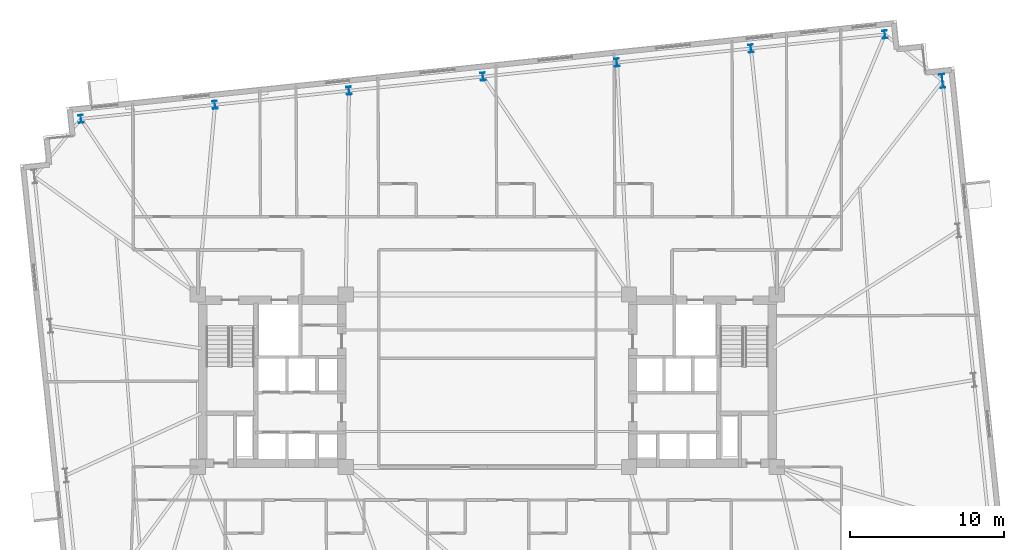
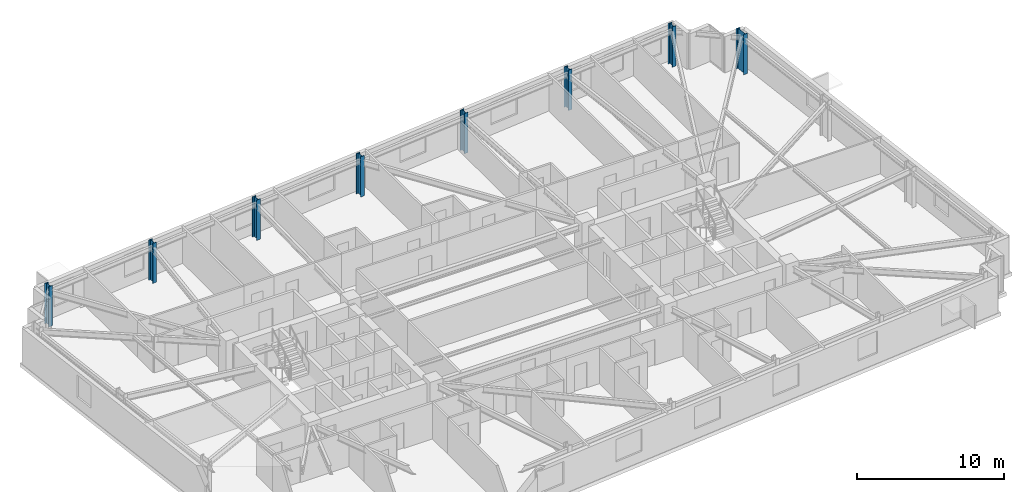
# One storey, part 3 of 19: 8 columns.
"""IFC4 building model written with IfcOpenShell, lengths in metres."""

import ifcopenshell
import ifcopenshell.guid

model = None  # the IFC model being written
_history = None  # IfcOwnerHistory: only IFC2X3 demands one
_inside = {}  # id of a spatial element -> (the spatial element, [elements in it])
_under = {}  # id of a project, library or spatial element -> (it, [spatial elements below it])
_declared = {}  # id of a project -> (the project, [libraries it declares])
_typed = {}  # id of a type object -> (the type object, [elements of that type])
_made_of = {}  # id of a material, layer set ... -> (it, [elements and type objects made of it])


def new_model(schema):
    """Start an empty IFC model of exactly this schema.

    Asked for "IFC4X3", IfcOpenShell would pick the latest addendum, in which some entities
    have other attributes; the version numbers below select the first issue.
    IFC2X3 requires an IfcOwnerHistory on every rooted entity: one is made here for all.
    """
    global model, _history
    if schema == "IFC4X3":
        model = ifcopenshell.file(schema_version=(4, 3, 0, 0))
    else:
        model = ifcopenshell.file(schema=schema)
    _inside.clear()
    _under.clear()
    _declared.clear()
    _typed.clear()
    _made_of.clear()
    _history = None
    if model.schema == "IFC2X3":
        org = make("IfcOrganization", Name="unknown")
        user = make(
            "IfcPersonAndOrganization",
            ThePerson=make("IfcPerson", FamilyName="unknown"),
            TheOrganization=org,
        )
        app = make(
            "IfcApplication",
            ApplicationDeveloper=org,
            Version="unknown",
            ApplicationFullName="unknown",
            ApplicationIdentifier="unknown",
        )
        _history = make(
            "IfcOwnerHistory",
            OwningUser=user,
            OwningApplication=app,
            ChangeAction="ADDED",
            CreationDate=0,
        )
    return model


def make(cls, **values):
    """One entity of the class cls with the attributes given. An attribute that is None is left unset."""
    return model.create_entity(
        cls, **{name: value for name, value in values.items() if value is not None}
    )


def rooted(cls, **values):
    """An entity with a GlobalId (a new one), such as an element, a storey or a relation."""
    return make(cls, GlobalId=ifcopenshell.guid.new(), OwnerHistory=_history, **values)


def si_unit(unit_type, name, prefix=None):
    """IfcSIUnit, for example si_unit("LENGTHUNIT", "METRE", prefix="MILLI")."""
    return make("IfcSIUnit", UnitType=unit_type, Prefix=prefix, Name=name)


def assignment(units):
    """IfcUnitAssignment: the units of a project."""
    return None if units is None else make("IfcUnitAssignment", Units=units)


def point(xyz):
    """IfcCartesianPoint."""
    return None if xyz is None else make("IfcCartesianPoint", Coordinates=xyz)


def direction(xyz):
    """IfcDirection."""
    return None if xyz is None else make("IfcDirection", DirectionRatios=xyz)


def frame(location, z_axis=None, x_axis=None):
    """IfcAxis2Placement3D, a coordinate frame: its origin and axes. An axis left out is left unset."""
    return make(
        "IfcAxis2Placement3D",
        Location=point(location),
        Axis=direction(z_axis),
        RefDirection=direction(x_axis),
    )


def frame_2d(location, x_axis=None):
    """IfcAxis2Placement2D, a coordinate frame in the plane: its origin and x axis."""
    return make(
        "IfcAxis2Placement2D", Location=point(location), RefDirection=direction(x_axis)
    )


def origin():
    """The frame at (0, 0, 0) with its axes left unset."""
    return frame((0.0, 0.0, 0.0))


def origin_2d():
    """The frame at (0, 0) in the plane with its x axis left unset."""
    return frame_2d((0.0, 0.0))


def place(relative_to, where):
    """IfcLocalPlacement: puts the frame where relative to a parent placement (None: the world)."""
    return make(
        "IfcLocalPlacement", PlacementRelTo=relative_to, RelativePlacement=where
    )


def context(
    kind, dimensions, precision=None, world=None, true_north=None, identifier=None
):
    """IfcGeometricRepresentationContext, for example the 3D "Model" context."""
    return make(
        "IfcGeometricRepresentationContext",
        ContextIdentifier=identifier,
        ContextType=kind,
        CoordinateSpaceDimension=dimensions,
        Precision=precision,
        WorldCoordinateSystem=world,
        TrueNorth=true_north,
    )


def subcontext(parent, identifier, kind, view, scale=None):
    """IfcGeometricRepresentationSubContext, for example "Body" below "Model"."""
    return make(
        "IfcGeometricRepresentationSubContext",
        ContextIdentifier=identifier,
        ContextType=kind,
        ParentContext=parent,
        TargetScale=scale,
        TargetView=view,
    )


def project(units=None, contexts=None):
    """IfcProject with its units and contexts."""
    return rooted(
        "IfcProject",
        Name="project",
        RepresentationContexts=contexts,
        UnitsInContext=assignment(units),
    )


def spatial(cls, under=None, at=None, **own):
    """A site, building, storey or space (cls), placed at a placement, below another one or the project."""
    s = rooted(cls, ObjectPlacement=at, **own)
    if under is not None:
        _under.setdefault(under.id(), (under, []))[1].append(s)
    return s


def profile(cls, at=None, kind="AREA", **sizes):
    """A parametric profile (cls). Its sizes go by their IFC names, for example OverallWidth=200.0."""
    return make(cls, ProfileType=kind, Position=at, **sizes)


def i_section(**sizes):
    """IfcIShapeProfileDef."""
    return profile("IfcIShapeProfileDef", **sizes)


def extrude(swept, where, along, depth):
    """IfcExtrudedAreaSolid: the profile swept, set in the frame where, extruded along a direction by depth."""
    return make(
        "IfcExtrudedAreaSolid",
        SweptArea=swept,
        Position=where,
        ExtrudedDirection=direction(along),
        Depth=depth,
    )


def shape(context_of_items, identifier, shape_type, items):
    """IfcShapeRepresentation: the items that make up one representation, for example the "Body"."""
    return make(
        "IfcShapeRepresentation",
        ContextOfItems=context_of_items,
        RepresentationIdentifier=identifier,
        RepresentationType=shape_type,
        Items=items,
    )


def material(Name=None, Category=None):
    """IfcMaterial."""
    return make("IfcMaterial", Name=Name, Category=Category)


def material_profile(
    of_material, cross_section, Name=None, Category=None, Priority=None
):
    """IfcMaterialProfile: a cross section and its material."""
    return make(
        "IfcMaterialProfile",
        Name=Name,
        Material=of_material,
        Profile=cross_section,
        Priority=Priority,
        Category=Category,
    )


def profile_set(profiles, Name=None, composite=None):
    """IfcMaterialProfileSet."""
    return make(
        "IfcMaterialProfileSet",
        Name=Name,
        MaterialProfiles=profiles,
        CompositeProfile=composite,
    )


def made_of(thing, what):
    """Note that an element or type object is made of a material, layer set ...; save() writes the relation."""
    if what is not None:
        _made_of.setdefault(what.id(), (what, []))[1].append(thing)
    return thing


def type_object(cls, material=None, **own):
    """A type object (cls), such as IfcWallType, which elements share."""
    return made_of(rooted(cls, **own), material)


def element(
    cls,
    number,
    at=None,
    inside=None,
    cuts=None,
    type_object=None,
    material=None,
    context=None,
    identifier="Body",
    shape_type=None,
    held_by="IfcProductDefinitionShape",
    body=None,
    shapes=None,
    **own,
):
    """One element of the class cls, such as IfcWall. Its Tag is "e" and its number.

    at: its placement. inside: the storey or other place that contains it. cuts: it is an
    opening in that element (IfcRelVoidsElement). A single representation is given by context,
    identifier, shape_type and body (its items); several are given by shapes. held_by: the class
    of the entity that holds the representations. save() writes the other relations.
    """
    e = rooted(cls, Tag="e%d" % number, ObjectPlacement=at, **own)
    if body is not None:
        shapes = [shape(context, identifier, shape_type, body)]
    if shapes is not None:
        e.Representation = make(held_by, Representations=shapes)
    if inside is not None:
        _inside.setdefault(inside.id(), (inside, []))[1].append(e)
    if cuts is not None:
        rooted(
            "IfcRelVoidsElement", RelatingBuildingElement=cuts, RelatedOpeningElement=e
        )
    if type_object is not None:
        _typed.setdefault(type_object.id(), (type_object, []))[1].append(e)
    return made_of(e, material)


def aggregate(whole, parts):
    """IfcRelAggregates: a whole, such as a stair, and the parts it consists of."""
    return rooted("IfcRelAggregates", RelatingObject=whole, RelatedObjects=parts)


def save(model, path):
    """Write the relations noted so far, then the file.

    IfcRelAggregates (storeys below a building ...), IfcRelContainedInSpatialStructure (elements
    in a storey), IfcRelDefinesByType, IfcRelAssociatesMaterial and IfcRelDeclares: one each for
    every whole, place, type object, material and project.
    """
    for whole, parts in _under.values():
        aggregate(whole, parts)
    for where, things in _inside.values():
        rooted(
            "IfcRelContainedInSpatialStructure",
            RelatedElements=things,
            RelatingStructure=where,
        )
    for kind, things in _typed.values():
        rooted("IfcRelDefinesByType", RelatedObjects=things, RelatingType=kind)
    for what, things in _made_of.values():
        rooted("IfcRelAssociatesMaterial", RelatedObjects=things, RelatingMaterial=what)
    for by, libraries in _declared.values():
        rooted("IfcRelDeclares", RelatingContext=by, RelatedDefinitions=libraries)
    model.write(path)


model = new_model("IFC4")

# Units and contexts
model_context = context("Model", 3, precision=1e-05, world=origin(), true_north=direction((0.0, 1.0)))
body_context = subcontext(model_context, "Body", "Model", "MODEL_VIEW")
ifc_project = project(units=[si_unit("LENGTHUNIT", "METRE"), si_unit("AREAUNIT", "SQUARE_METRE"), si_unit("VOLUMEUNIT", "CUBIC_METRE"), si_unit("PLANEANGLEUNIT", "RADIAN"), si_unit("MASSUNIT", "GRAM", prefix="KILO")], contexts=[model_context])

# Site, building, storey
site_placement = place(None, origin())
site = spatial("IfcSite", under=ifc_project, at=site_placement, CompositionType="ELEMENT")
building_placement = place(site_placement, origin())
building = spatial("IfcBuilding", under=site, at=building_placement, Name="Qobustan Lattice House", CompositionType="ELEMENT")
storey_placement = place(building_placement, frame((0.0, 0.0, 122.550048828125)))
storey = spatial("IfcBuildingStorey", under=building, at=storey_placement, Name="L34", CompositionType="ELEMENT", Elevation=122.550048828125)

# Columns
ifc_material_1 = material(Name="Steel S355", Category="steel")
ifc_material_profile_1 = material_profile(ifc_material_1, i_section(OverallWidth=0.300048828125, OverallDepth=0.89990234375, WebThickness=0.0185546875, FlangeThickness=0.034912109375, FilletRadius=0.030029296875, at=origin_2d()), Name="HEB900")
ifc_profile_set_1 = profile_set([ifc_material_profile_1], Name="Steel S355")
column_type_1 = type_object("IfcColumnType", Name="COL-ST-HEB900", PredefinedType="COLUMN", material=ifc_profile_set_1)
column_placement = place(storey_placement, frame((29.55615234375, 19.468994140625, 0.0), z_axis=(0.0, 0.0, 1.0), x_axis=(0.994521895368, 0.104528463268, 0.0)))
element("IfcColumn", 1, at=column_placement, inside=storey, type_object=column_type_1, Name="L34 B2 perimeter column E4", PredefinedType="COLUMN", context=body_context, shape_type="SweptSolid", body=[
    extrude(i_section(OverallWidth=0.300048828125, OverallDepth=0.89990234375, WebThickness=0.0185546875, FlangeThickness=0.034912109375, FilletRadius=0.030029296875, at=origin_2d()), origin(), (0.0, 0.0, 1.0), 3.349853515625),
])
ifc_material_2 = material(Name="Steel S355", Category="steel")
ifc_material_profile_2 = material_profile(ifc_material_2, i_section(OverallWidth=0.305908203125, OverallDepth=0.52392578125, WebThickness=0.02099609375, FlangeThickness=0.0400390625, FilletRadius=0.027099609375, at=origin_2d()), Name="HEM500")
ifc_profile_set_2 = profile_set([ifc_material_profile_2], Name="Steel S355")
column_type_2 = type_object("IfcColumnType", Name="COL-ST-HEM500", PredefinedType="COLUMN", material=ifc_profile_set_2)
for number, where, z_axis, x_axis, name in (
    (2, (25.819580078125, 22.4951171875, 0.0), (0.0, 0.0, 1.0), (0.994521895368, 0.104528463268, 0.0), "L34 B2 perimeter column N1"),
    (3, (17.117431640625, 21.580322265625, 0.0), (0.0, 0.0, 1.0), (0.994521895368, 0.104528463268, 0.0), "L34 B2 perimeter column N2"),
    (4, (8.415283203125, 20.665771484375, 0.0), (0.0, 0.0, 1.0), (0.994521895368, 0.104528463268, 0.0), "L34 B2 perimeter column N3"),
    (5, (-0.28662109375, 19.751220703125, 0.0), (0.0, 0.0, 1.0), (0.994521895368, 0.104528463268, 0.0), "L34 B2 perimeter column N4"),
    (6, (-8.98876953125, 18.83642578125, 0.0), (0.0, 0.0, 1.0), (0.994521895368, 0.104528463268, 0.0), "L34 B2 perimeter column N5"),
    (7, (-17.69091796875, 17.921875, 0.0), (0.0, 0.0, 1.0), (0.994521895368, 0.104528463268, 0.0), "L34 B2 perimeter column N6"),
    (8, (-26.392822265625, 17.007080078125, 0.0), (0.0, 0.0, 1.0), (0.994521895368, 0.104528463268, 0.0), "L34 B2 perimeter column N7"),
):
    element("IfcColumn", number, at=place(storey_placement, frame(where, z_axis=z_axis, x_axis=x_axis)), inside=storey, type_object=column_type_2, Name=name, PredefinedType="COLUMN", context=body_context, shape_type="SweptSolid", body=[
        extrude(i_section(OverallWidth=0.305908203125, OverallDepth=0.52392578125, WebThickness=0.02099609375, FlangeThickness=0.0400390625, FilletRadius=0.027099609375, at=origin_2d()), origin(), (0.0, 0.0, 1.0), 3.349853515625),
    ])

save(model, "model.ifc")
